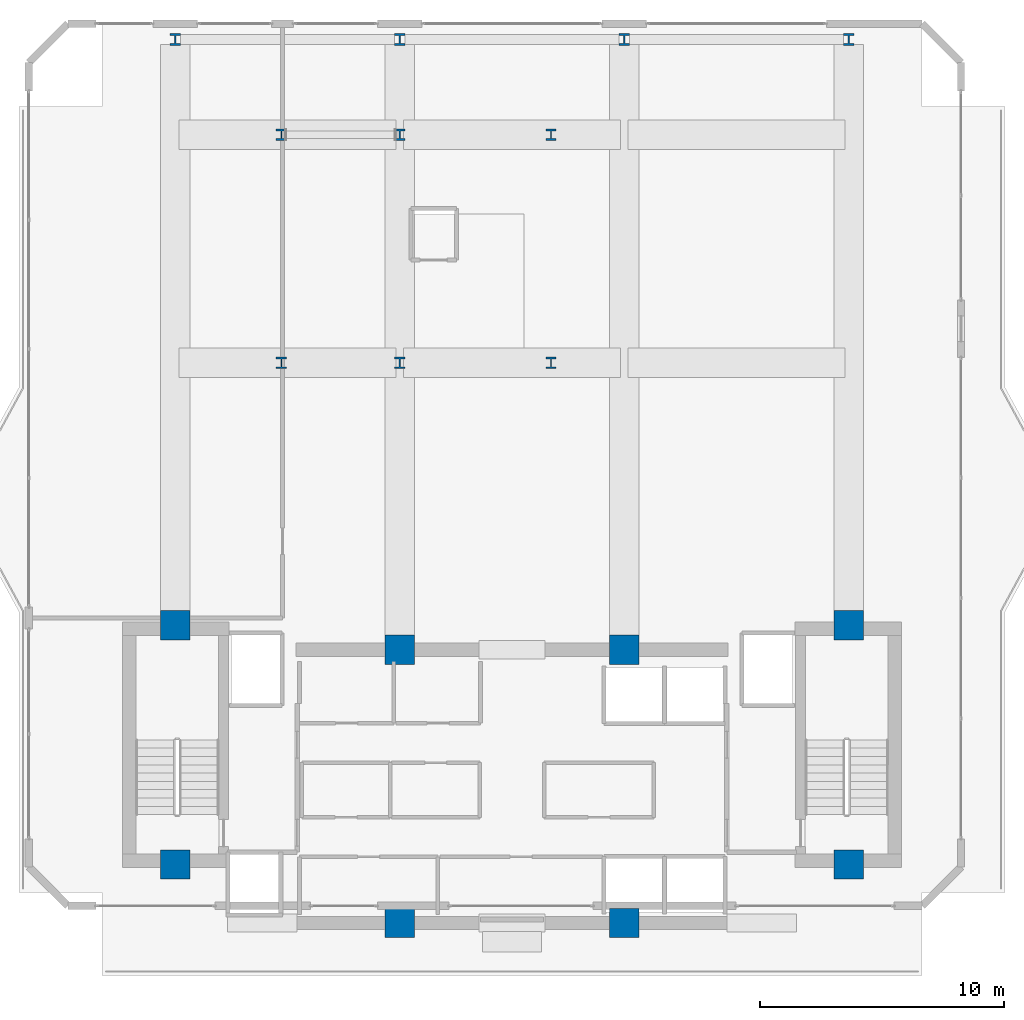
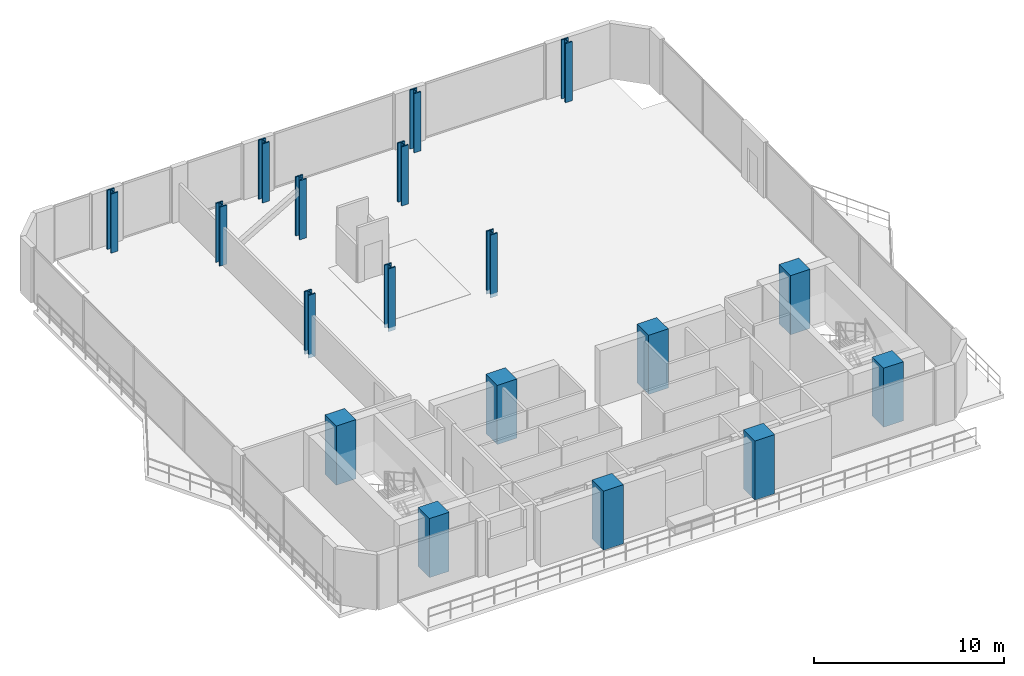
# One storey, part 1 of 27: 18 columns.
"""IFC4 building model written with IfcOpenShell, lengths in metres."""

from ifc_helpers import new_model, si_unit, direction, frame, origin, origin_2d, place, context, subcontext, project, spatial, rectangle, i_section, extrude, material, material_profile, profile_set, type_object, element, save


model = new_model("IFC4")

# Units and contexts
model_context = context("Model", 3, precision=1e-05, world=origin(), true_north=direction((0.0, 1.0)))
body_context = subcontext(model_context, "Body", "Model", "MODEL_VIEW")
ifc_project = project(units=[si_unit("LENGTHUNIT", "METRE"), si_unit("AREAUNIT", "SQUARE_METRE"), si_unit("VOLUMEUNIT", "CUBIC_METRE"), si_unit("PLANEANGLEUNIT", "RADIAN"), si_unit("MASSUNIT", "GRAM", prefix="KILO")], contexts=[model_context])

# Site, building, storey
site_placement = place(None, origin())
site = spatial("IfcSite", under=ifc_project, at=site_placement, CompositionType="ELEMENT")
building_placement = place(site_placement, origin())
building = spatial("IfcBuilding", under=site, at=building_placement, Name="Zuhayl Quay Hotel", CompositionType="ELEMENT")
storey_placement = place(building_placement, frame((0.0, 0.0, 297.25)))
storey = spatial("IfcBuildingStorey", under=building, at=storey_placement, Name="Crown 1", CompositionType="ELEMENT", Elevation=297.25)

# Columns
ifc_material_1 = material(Name="Concrete C60/75", Category="concrete")
ifc_material_profile_1 = material_profile(ifc_material_1, rectangle(XDim=1.199951171875, YDim=1.199951171875, at=origin_2d()), Name="RC1200X1200")
ifc_profile_set_1 = profile_set([ifc_material_profile_1], Name="Concrete C60/75")
column_type_1 = type_object("IfcColumnType", Name="CL_CC2_1200", PredefinedType="COLUMN", material=ifc_profile_set_1)
for number, where, z_axis, x_axis, name in (
    (1, (-13.800048828125, 14.35009765625, 0.0), (0.0, 0.0, 1.0), (1.0, 0.0, 0.0), "Crown 1 Core Column CC_NW"),
    (2, (-4.60009765625, 13.35009765625, 0.0), (0.0, 0.0, 1.0), (1.0, 0.0, 0.0), "Crown 1 Core Column CC_CNW"),
    (3, (4.60009765625, 13.35009765625, 0.0), (0.0, 0.0, 1.0), (1.0, 0.0, 0.0), "Crown 1 Core Column CC_CNE"),
    (4, (13.800048828125, 14.35009765625, 0.0), (0.0, 0.0, 1.0), (1.0, 0.0, 0.0), "Crown 1 Core Column CC_NE"),
    (5, (-13.800048828125, 4.550048828125, 0.0), (0.0, 0.0, 1.0), (1.0, 0.0, 0.0), "Crown 1 Core Column CC_SW"),
    (6, (-4.60009765625, 2.14990234375, 0.0), (0.0, 0.0, 1.0), (1.0, 0.0, 0.0), "Crown 1 Core Column CC_CSW"),
    (7, (4.60009765625, 2.14990234375, 0.0), (0.0, 0.0, 1.0), (1.0, 0.0, 0.0), "Crown 1 Core Column CC_CSE"),
    (8, (13.800048828125, 4.550048828125, 0.0), (0.0, 0.0, 1.0), (1.0, 0.0, 0.0), "Crown 1 Core Column CC_SE"),
):
    element("IfcColumn", number, at=place(storey_placement, frame(where, z_axis=z_axis, x_axis=x_axis)), inside=storey, type_object=column_type_1, Name=name, PredefinedType="COLUMN", context=body_context, shape_type="SweptSolid", body=[
        extrude(rectangle(XDim=1.199951171875, YDim=1.199951171875, at=origin_2d()), origin(), (0.0, 0.0, 1.0), 3.800048828125),
    ])
ifc_material_2 = material(Name="Steel ASTM A913 Grade 65", Category="steel")
ifc_material_profile_2 = material_profile(ifc_material_2, i_section(OverallWidth=0.424072265625, OverallDepth=0.47412109375, WebThickness=0.047607421875, FlangeThickness=0.076904296875, at=origin_2d()), Name="HD400X634")
ifc_profile_set_2 = profile_set([ifc_material_profile_2], Name="Steel ASTM A913 Grade 65")
column_type_2 = type_object("IfcColumnType", Name="CL_SC1_HD634", PredefinedType="COLUMN", material=ifc_profile_set_2)
for number, where, z_axis, x_axis, name in (
    (9, (-9.449951171875, 25.10009765625, -0.239990234375), (0.0, 0.0, 1.0), (1.0, 0.0, 0.0), "Crown 1 Crown Column CRC_SW"),
    (10, (-4.60009765625, 25.10009765625, -0.239990234375), (0.0, 0.0, 1.0), (1.0, 0.0, 0.0), "Crown 1 Crown Column CRC_SM"),
    (11, (1.60009765625, 25.10009765625, -0.239990234375), (0.0, 0.0, 1.0), (1.0, 0.0, 0.0), "Crown 1 Crown Column CRC_SE"),
):
    element("IfcColumn", number, at=place(storey_placement, frame(where, z_axis=z_axis, x_axis=x_axis)), inside=storey, type_object=column_type_2, Name=name, PredefinedType="COLUMN", context=body_context, shape_type="SweptSolid", body=[
        extrude(i_section(OverallWidth=0.424072265625, OverallDepth=0.47412109375, WebThickness=0.047607421875, FlangeThickness=0.076904296875, at=origin_2d()), origin(), (0.0, 0.0, 1.0), 4.0400390625),
    ])
for number, where, z_axis, x_axis, name in (
    (12, (-9.449951171875, 34.449951171875, 0.0), (0.0, 0.0, 1.0), (1.0, 0.0, 0.0), "Crown 1 Crown Column CRC_NW"),
    (13, (-4.60009765625, 34.449951171875, 0.0), (0.0, 0.0, 1.0), (1.0, 0.0, 0.0), "Crown 1 Crown Column CRC_NM"),
    (14, (1.60009765625, 34.449951171875, 0.0), (0.0, 0.0, 1.0), (1.0, 0.0, 0.0), "Crown 1 Crown Column CRC_NE"),
    (15, (-13.800048828125, 38.35009765625, 0.0), (0.0, 0.0, 1.0), (1.0, 0.0, 0.0), "Crown 1 Crown Column CRC_N1"),
    (16, (-4.60009765625, 38.35009765625, 0.0), (0.0, 0.0, 1.0), (1.0, 0.0, 0.0), "Crown 1 Crown Column CRC_N2"),
    (17, (4.60009765625, 38.35009765625, 0.0), (0.0, 0.0, 1.0), (1.0, 0.0, 0.0), "Crown 1 Crown Column CRC_N3"),
    (18, (13.800048828125, 38.35009765625, 0.0), (0.0, 0.0, 1.0), (1.0, 0.0, 0.0), "Crown 1 Crown Column CRC_N4"),
):
    element("IfcColumn", number, at=place(storey_placement, frame(where, z_axis=z_axis, x_axis=x_axis)), inside=storey, type_object=column_type_2, Name=name, PredefinedType="COLUMN", context=body_context, shape_type="SweptSolid", body=[
        extrude(i_section(OverallWidth=0.424072265625, OverallDepth=0.47412109375, WebThickness=0.047607421875, FlangeThickness=0.076904296875, at=origin_2d()), origin(), (0.0, 0.0, 1.0), 3.800048828125),
    ])

save(model, "model.ifc")
